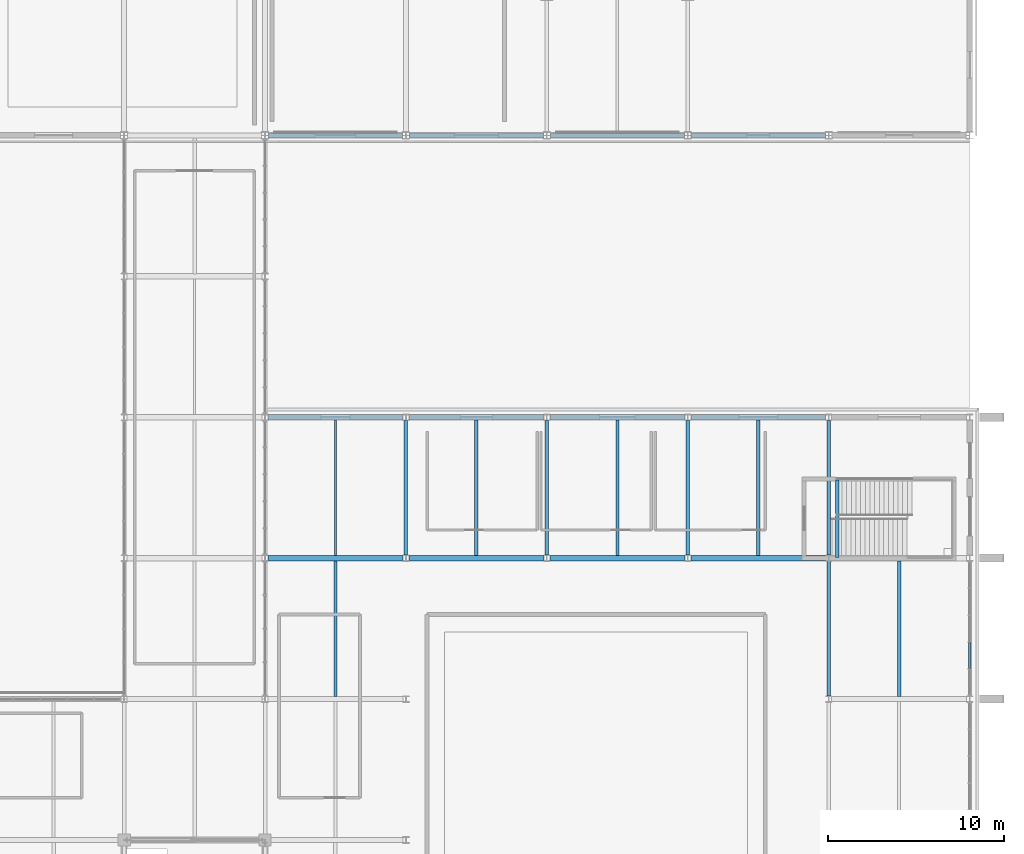
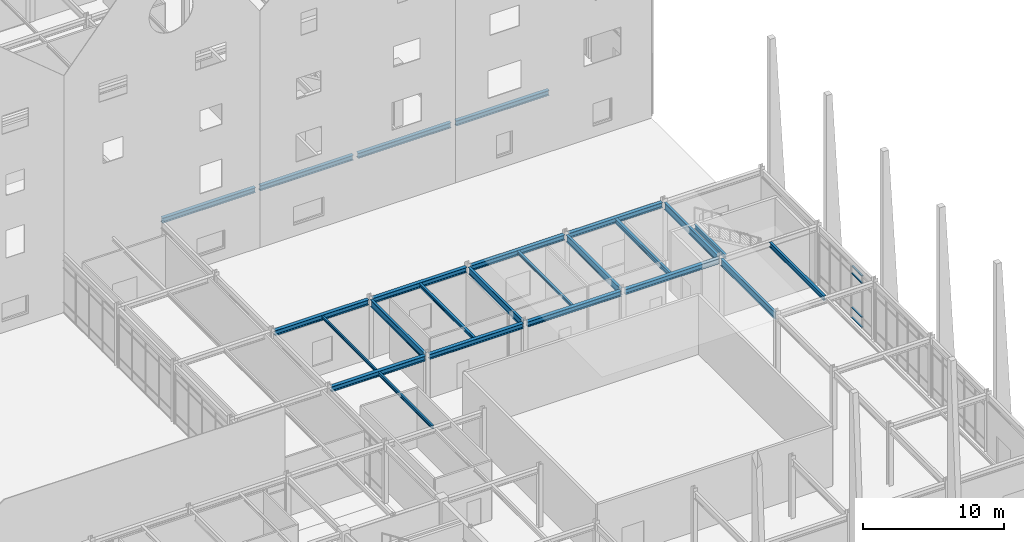
# One storey, part 50 of 119: 24 beams, 4 members, 1 element without a shape of its own.
"""IFC4 building model written with IfcOpenShell, lengths in metres."""

from ifc_helpers import new_model, si_unit, direction, frame, origin, origin_2d, place, context, subcontext, project, spatial, rectangle, i_section, extrude, material, material_profile, profile_set, type_object, element, aggregate, save


model = new_model("IFC4")

# Units and contexts
model_context = context("Model", 3, precision=1e-05, world=origin(), true_north=direction((0.0, 1.0)))
body_context = subcontext(model_context, "Body", "Model", "MODEL_VIEW")
ifc_project = project(units=[si_unit("LENGTHUNIT", "METRE"), si_unit("AREAUNIT", "SQUARE_METRE"), si_unit("VOLUMEUNIT", "CUBIC_METRE"), si_unit("PLANEANGLEUNIT", "RADIAN"), si_unit("MASSUNIT", "GRAM", prefix="KILO")], contexts=[model_context])

# Site, building, storey
site_placement = place(None, origin())
site = spatial("IfcSite", under=ifc_project, at=site_placement, CompositionType="ELEMENT")
building_placement = place(site_placement, origin())
building = spatial("IfcBuilding", under=site, at=building_placement, Name="Zhaolan Boulevard Law Courts", CompositionType="ELEMENT")
storey_placement = place(building_placement, origin())
storey = spatial("IfcBuildingStorey", under=building, at=storey_placement, Name="L00", CompositionType="ELEMENT", Elevation=0.0)

# Curtain wall, members
ifc_material_1 = material(Name="Thermally broken aluminium and low-E glazing", Category="aluminium")
curtain_wall_type = type_object("IfcCurtainWallType", Name="CURTAIN WALL M11", PredefinedType="USERDEFINED", material=ifc_material_1)
curtain_wall_placement = place(storey_placement, origin())
curtain_wall = element("IfcCurtainWall", 1, at=curtain_wall_placement, inside=storey, type_object=curtain_wall_type, Name="Curtain Wall CW-L00-011", ObjectType="CURTAIN WALL", PredefinedType="USERDEFINED")
ifc_material_2 = material(Name="Fluorocarbon-coated aluminium 6063-T6", Category="aluminium")
ifc_material_profile_1 = material_profile(ifc_material_2, rectangle(XDim=0.139892578125, YDim=0.06494140625, at=origin_2d()), Name="AL65x140")
ifc_profile_set_1 = profile_set([ifc_material_profile_1], Name="Fluorocarbon-coated aluminium 6063-T6")
member_type = type_object("IfcMemberType", Name="CWTRANSOM 65X140", PredefinedType="USERDEFINED", material=ifc_profile_set_1)
member_1_placement = place(storey_placement, frame((164.0, 31.73876953125, 0.032470703125), z_axis=(0.0, 1.0, 0.0), x_axis=(-1.0, 0.0, 0.0)))
member_1 = element("IfcMember", 2, at=member_1_placement, type_object=member_type, Name="CW-L00-011 transom 2.1", ObjectType="TRANSOM", PredefinedType="USERDEFINED", context=body_context, shape_type="SweptSolid", body=[
    extrude(rectangle(XDim=0.139892578125, YDim=0.06494140625, at=origin_2d()), origin(), (0.0, 0.0, 1.0), 1.464111328125),
])
member_2_placement = place(storey_placement, frame((164.0, 31.73876953125, 0.89990234375), z_axis=(0.0, 1.0, 0.0), x_axis=(-1.0, 0.0, 0.0)))
member_2 = element("IfcMember", 3, at=member_2_placement, type_object=member_type, Name="CW-L00-011 transom 2.2", ObjectType="TRANSOM", PredefinedType="USERDEFINED", context=body_context, shape_type="SweptSolid", body=[
    extrude(rectangle(XDim=0.139892578125, YDim=0.06494140625, at=origin_2d()), origin(), (0.0, 0.0, 1.0), 1.464111328125),
])
member_3_placement = place(storey_placement, frame((164.0, 31.73876953125, 3.85302734375), z_axis=(0.0, 1.0, 0.0), x_axis=(-1.0, 0.0, 0.0)))
member_3 = element("IfcMember", 4, at=member_3_placement, type_object=member_type, Name="CW-L00-011 transom 2.3", ObjectType="TRANSOM", PredefinedType="USERDEFINED", context=body_context, shape_type="SweptSolid", body=[
    extrude(rectangle(XDim=0.139892578125, YDim=0.06494140625, at=origin_2d()), origin(), (0.0, 0.0, 1.0), 1.464111328125),
])
member_4_placement = place(storey_placement, frame((164.0, 31.73876953125, 4.470458984375), z_axis=(0.0, 1.0, 0.0), x_axis=(-1.0, 0.0, 0.0)))
member_4 = element("IfcMember", 5, at=member_4_placement, type_object=member_type, Name="CW-L00-011 transom 2.4", ObjectType="TRANSOM", PredefinedType="USERDEFINED", context=body_context, shape_type="SweptSolid", body=[
    extrude(rectangle(XDim=0.139892578125, YDim=0.06494140625, at=origin_2d()), origin(), (0.0, 0.0, 1.0), 1.464111328125),
])
aggregate(curtain_wall, [member_1, member_2, member_3, member_4])

# Beams
ifc_material_3 = material(Name="Structural steel Q355B", Category="steel")
ifc_material_profile_2 = material_profile(ifc_material_3, i_section(OverallWidth=0.300048828125, OverallDepth=0.43994140625, WebThickness=0.010986328125, FlangeThickness=0.01806640625, FilletRadius=0.02001953125, at=origin_2d()), Name="HM440x300")
ifc_profile_set_2 = profile_set([ifc_material_profile_2], Name="Structural steel Q355B")
beam_type_1 = type_object("IfcBeamType", Name="GIRDER HM440", PredefinedType="BEAM", material=ifc_profile_set_2)
for number, where, z_axis, x_axis, name in (
    (6, (124.1708984375, 38.0, 4.89794921875), (1.0, 0.0, 0.0), (0.0, 1.0, 0.0), "Beam BX-L01-16-17-F"),
    (7, (132.1708984375, 38.0, 4.89794921875), (1.0, 0.0, 0.0), (0.0, 1.0, 0.0), "Beam BX-L01-17-18-F"),
    (8, (140.1708984375, 38.0, 4.89794921875), (1.0, 0.0, 0.0), (0.0, 1.0, 0.0), "Beam BX-L01-18-19-F"),
    (9, (148.1708984375, 38.0, 4.89794921875), (1.0, 0.0, 0.0), (0.0, 1.0, 0.0), "Beam BX-L01-19-20-F"),
    (10, (124.1708984375, 46.0, 4.89794921875), (1.0, 0.0, 0.0), (0.0, 1.0, 0.0), "Beam BX-L01-16-17-G"),
    (11, (132.1708984375, 46.0, 4.89794921875), (1.0, 0.0, 0.0), (0.0, 1.0, 0.0), "Beam BX-L01-17-18-G"),
    (12, (140.1708984375, 46.0, 4.89794921875), (1.0, 0.0, 0.0), (0.0, 1.0, 0.0), "Beam BX-L01-18-19-G"),
    (13, (148.1708984375, 46.0, 4.89794921875), (1.0, 0.0, 0.0), (0.0, 1.0, 0.0), "Beam BX-L01-19-20-G"),
):
    element("IfcBeam", number, at=place(storey_placement, frame(where, z_axis=z_axis, x_axis=x_axis)), inside=storey, type_object=beam_type_1, Name=name, PredefinedType="BEAM", context=body_context, shape_type="SweptSolid", body=[
        extrude(i_section(OverallWidth=0.300048828125, OverallDepth=0.43994140625, WebThickness=0.010986328125, FlangeThickness=0.01806640625, FilletRadius=0.02001953125, at=origin_2d()), origin(), (0.0, 0.0, 1.0), 7.658203125),
    ])
for number, where, z_axis, x_axis, name in (
    (14, (124.196044921875, 62.0, 4.89794921875), (1.0, 0.0, 0.0), (0.0, 1.0, 0.0), "Beam BX-L01-16-17-J"),
    (15, (132.196044921875, 62.0, 4.89794921875), (1.0, 0.0, 0.0), (0.0, 1.0, 0.0), "Beam BX-L01-17-18-J"),
    (16, (140.196044921875, 62.0, 4.89794921875), (1.0, 0.0, 0.0), (0.0, 1.0, 0.0), "Beam BX-L01-18-19-J"),
    (17, (148.196044921875, 62.0, 4.89794921875), (1.0, 0.0, 0.0), (0.0, 1.0, 0.0), "Beam BX-L01-19-20-J"),
):
    element("IfcBeam", number, at=place(storey_placement, frame(where, z_axis=z_axis, x_axis=x_axis)), inside=storey, type_object=beam_type_1, Name=name, PredefinedType="BEAM", context=body_context, shape_type="SweptSolid", body=[
        extrude(i_section(OverallWidth=0.300048828125, OverallDepth=0.43994140625, WebThickness=0.010986328125, FlangeThickness=0.01806640625, FilletRadius=0.02001953125, at=origin_2d()), origin(), (0.0, 0.0, 1.0), 7.60791015625),
    ])
ifc_material_4 = material(Name="Structural steel Q355B", Category="steel")
ifc_material_profile_3 = material_profile(ifc_material_4, i_section(OverallWidth=0.199951171875, OverallDepth=0.60009765625, WebThickness=0.010986328125, FlangeThickness=0.01708984375, FilletRadius=0.02001953125, at=origin_2d()), Name="HN600x200")
ifc_profile_set_3 = profile_set([ifc_material_profile_3], Name="Structural steel Q355B")
beam_type_2 = type_object("IfcBeamType", Name="GIRDER HN600", PredefinedType="BEAM", material=ifc_profile_set_3)
for number, where, z_axis, x_axis, name in (
    (18, (132.0, 38.1708984375, 4.818115234375), (0.0, 1.0, 0.0), (-1.0, 0.0, 0.0), "Beam BY-L01-17-F-G"),
    (19, (140.0, 38.1708984375, 4.818115234375), (0.0, 1.0, 0.0), (-1.0, 0.0, 0.0), "Beam BY-L01-18-F-G"),
    (20, (148.0, 38.1708984375, 4.818115234375), (0.0, 1.0, 0.0), (-1.0, 0.0, 0.0), "Beam BY-L01-19-F-G"),
    (21, (156.0, 30.1708984375, 4.818115234375), (0.0, 1.0, 0.0), (-1.0, 0.0, 0.0), "Beam BY-L01-20-E-F"),
    (22, (156.0, 38.1708984375, 4.818115234375), (0.0, 1.0, 0.0), (-1.0, 0.0, 0.0), "Beam BY-L01-20-F-G"),
):
    element("IfcBeam", number, at=place(storey_placement, frame(where, z_axis=z_axis, x_axis=x_axis)), inside=storey, type_object=beam_type_2, Name=name, PredefinedType="BEAM", context=body_context, shape_type="SweptSolid", body=[
        extrude(i_section(OverallWidth=0.199951171875, OverallDepth=0.60009765625, WebThickness=0.010986328125, FlangeThickness=0.01708984375, FilletRadius=0.02001953125, at=origin_2d()), origin(), (0.0, 0.0, 1.0), 7.658203125),
    ])
ifc_material_5 = material(Name="Structural steel Q355B", Category="steel")
ifc_material_profile_4 = material_profile(ifc_material_5, i_section(OverallWidth=0.175048828125, OverallDepth=0.243896484375, WebThickness=0.007080078125, FlangeThickness=0.010986328125, FilletRadius=0.012939453125, at=origin_2d()), Name="HM244x175")
ifc_profile_set_4 = profile_set([ifc_material_profile_4], Name="Structural steel Q355B")
beam_type_3 = type_object("IfcBeamType", Name="JOIST HM244", PredefinedType="JOIST", material=ifc_profile_set_4)
beam_1_placement = place(storey_placement, frame((144.0, 38.14599609375, 4.99609375), z_axis=(0.0, 1.0, 0.0), x_axis=(-1.0, 0.0, 0.0)))
element("IfcBeam", 23, at=beam_1_placement, inside=storey, type_object=beam_type_3, Name="Composite Joist J-L01-18F", PredefinedType="JOIST", context=body_context, shape_type="SweptSolid", body=[
    extrude(i_section(OverallWidth=0.175048828125, OverallDepth=0.243896484375, WebThickness=0.007080078125, FlangeThickness=0.010986328125, FilletRadius=0.012939453125, at=origin_2d()), origin(), (0.0, 0.0, 1.0), 7.7080078125),
])
ifc_material_6 = material(Name="Structural steel Q355B", Category="steel")
ifc_material_profile_5 = material_profile(ifc_material_6, i_section(OverallWidth=0.199951171875, OverallDepth=0.2939453125, WebThickness=0.008056640625, FlangeThickness=0.011962890625, FilletRadius=0.01611328125, at=origin_2d()), Name="HM294x200")
ifc_profile_set_5 = profile_set([ifc_material_profile_5], Name="Structural steel Q355B")
beam_type_4 = type_object("IfcBeamType", Name="JOIST HM294", PredefinedType="JOIST", material=ifc_profile_set_5)
beam_2_placement = place(storey_placement, frame((136.0, 38.14599609375, 4.970947265625), z_axis=(0.0, 1.0, 0.0), x_axis=(-1.0, 0.0, 0.0)))
element("IfcBeam", 24, at=beam_2_placement, inside=storey, type_object=beam_type_4, Name="Composite Joist J-L01-17F", PredefinedType="JOIST", context=body_context, shape_type="SweptSolid", body=[
    extrude(i_section(OverallWidth=0.199951171875, OverallDepth=0.2939453125, WebThickness=0.008056640625, FlangeThickness=0.011962890625, FilletRadius=0.01611328125, at=origin_2d()), origin(), (0.0, 0.0, 1.0), 7.7080078125),
])
ifc_material_7 = material(Name="Structural steel Q355B", Category="steel")
ifc_material_profile_6 = material_profile(ifc_material_7, i_section(OverallWidth=0.125, OverallDepth=0.25, WebThickness=0.006103515625, FlangeThickness=0.009033203125, FilletRadius=0.010009765625, at=origin_2d()), Name="HN250x125")
ifc_profile_set_6 = profile_set([ifc_material_profile_6], Name="Structural steel Q355B")
beam_type_5 = type_object("IfcBeamType", Name="JOIST HN250", PredefinedType="JOIST", material=ifc_profile_set_6)
beam_3_placement = place(storey_placement, frame((128.0, 38.14599609375, 4.992919921875), z_axis=(0.0, 1.0, 0.0), x_axis=(-1.0, 0.0, 0.0)))
element("IfcBeam", 25, at=beam_3_placement, inside=storey, type_object=beam_type_5, Name="Composite Joist J-L01-16F", PredefinedType="JOIST", context=body_context, shape_type="SweptSolid", body=[
    extrude(i_section(OverallWidth=0.125, OverallDepth=0.25, WebThickness=0.006103515625, FlangeThickness=0.009033203125, FilletRadius=0.010009765625, at=origin_2d()), origin(), (0.0, 0.0, 1.0), 7.7080078125),
])
ifc_material_8 = material(Name="Structural steel Q355B", Category="steel")
ifc_material_profile_7 = material_profile(ifc_material_8, i_section(OverallWidth=0.14990234375, OverallDepth=0.300048828125, WebThickness=0.006591796875, FlangeThickness=0.009033203125, FilletRadius=0.010986328125, at=origin_2d()), Name="HN300x150")
ifc_profile_set_7 = profile_set([ifc_material_profile_7], Name="Structural steel Q355B")
beam_type_6 = type_object("IfcBeamType", Name="JOIST HN300", PredefinedType="JOIST", material=ifc_profile_set_7)
beam_4_placement = place(storey_placement, frame((128.0, 30.14599609375, 4.968017578125), z_axis=(0.0, 1.0, 0.0), x_axis=(-1.0, 0.0, 0.0)))
element("IfcBeam", 26, at=beam_4_placement, inside=storey, type_object=beam_type_6, Name="Composite Joist J-L01-16E", PredefinedType="JOIST", context=body_context, shape_type="SweptSolid", body=[
    extrude(i_section(OverallWidth=0.14990234375, OverallDepth=0.300048828125, WebThickness=0.006591796875, FlangeThickness=0.009033203125, FilletRadius=0.010986328125, at=origin_2d()), origin(), (0.0, 0.0, 1.0), 7.7080078125),
])
ifc_material_9 = material(Name="Structural steel Q355B", Category="steel")
ifc_material_profile_8 = material_profile(ifc_material_9, i_section(OverallWidth=0.199951171875, OverallDepth=0.39990234375, WebThickness=0.008056640625, FlangeThickness=0.012939453125, FilletRadius=0.013916015625, at=origin_2d()), Name="HN400x200")
ifc_profile_set_8 = profile_set([ifc_material_profile_8], Name="Structural steel Q355B")
beam_type_7 = type_object("IfcBeamType", Name="JOIST HN400", PredefinedType="JOIST", material=ifc_profile_set_8)
for number, where, z_axis, x_axis, name in (
    (27, (152.0, 38.14599609375, 4.91796875), (0.0, 1.0, 0.0), (-1.0, 0.0, 0.0), "Composite Joist J-L01-19F"),
    (28, (160.0, 30.14599609375, 4.91796875), (0.0, 1.0, 0.0), (-1.0, 0.0, 0.0), "Composite Joist J-L01-20E"),
):
    element("IfcBeam", number, at=place(storey_placement, frame(where, z_axis=z_axis, x_axis=x_axis)), inside=storey, type_object=beam_type_7, Name=name, PredefinedType="JOIST", context=body_context, shape_type="SweptSolid", body=[
        extrude(i_section(OverallWidth=0.199951171875, OverallDepth=0.39990234375, WebThickness=0.008056640625, FlangeThickness=0.012939453125, FilletRadius=0.013916015625, at=origin_2d()), origin(), (0.0, 0.0, 1.0), 7.7080078125),
    ])
ifc_material_10 = material(Name="Structural steel Q355B", Category="steel")
ifc_material_profile_9 = material_profile(ifc_material_10, i_section(OverallWidth=0.175048828125, OverallDepth=0.35009765625, WebThickness=0.007080078125, FlangeThickness=0.010986328125, FilletRadius=0.012939453125, at=origin_2d()), Name="HN350x175")
ifc_profile_set_9 = profile_set([ifc_material_profile_9], Name="Structural steel Q355B")
beam_type_8 = type_object("IfcBeamType", Name="STAIR TRIMMER HN350", PredefinedType="BEAM", material=ifc_profile_set_9)
beam_5_placement = place(storey_placement, frame((156.485107421875, 38.050048828125, 4.93505859375), z_axis=(0.0, 1.0, 0.0), x_axis=(-1.0, 0.0, 0.0)))
element("IfcBeam", 29, at=beam_5_placement, inside=storey, type_object=beam_type_8, Name="Stair Landing Trimmer Beam STB-ST07-L01", PredefinedType="BEAM", context=body_context, shape_type="SweptSolid", body=[
    extrude(i_section(OverallWidth=0.175048828125, OverallDepth=0.35009765625, WebThickness=0.007080078125, FlangeThickness=0.010986328125, FilletRadius=0.012939453125, at=origin_2d()), origin(), (0.0, 0.0, 1.0), 4.39990234375),
])

save(model, "model.ifc")
